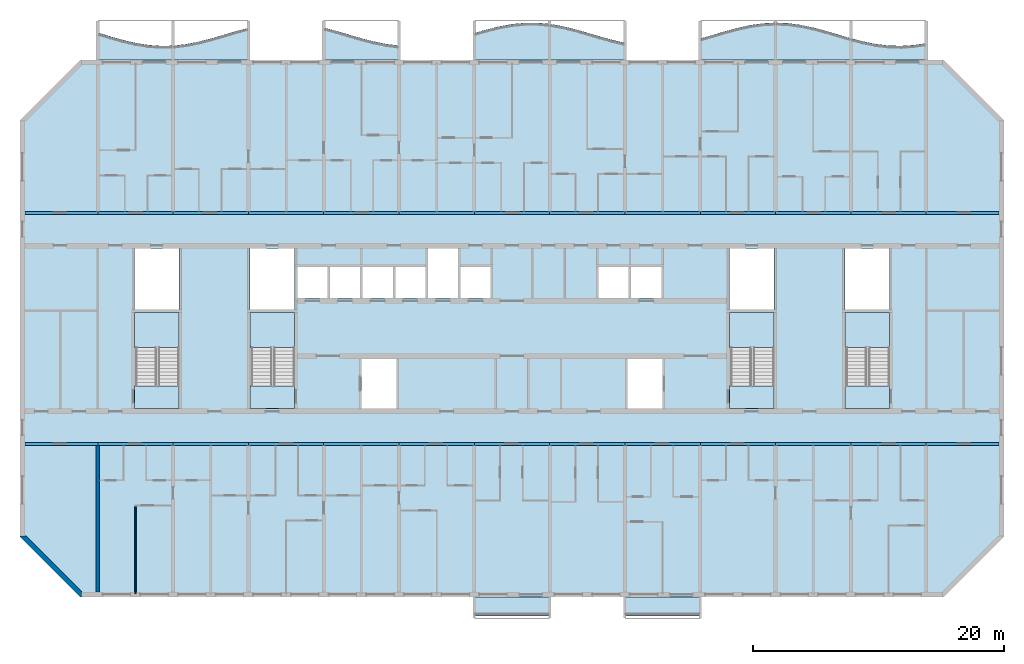
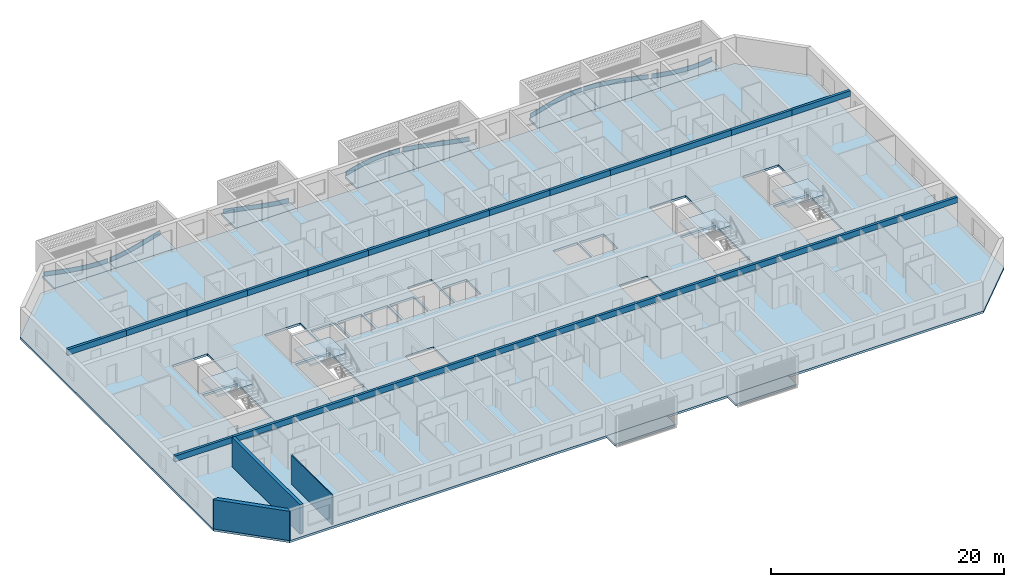
# One storey, part 1 of 31: 26 beams, 19 slabs, 8 plates, 3 walls, 4 elements without a shape of their own.
"""IFC4 building model written with IfcOpenShell, lengths in metres."""

from ifc_helpers import new_model, si_unit, direction, frame, frame_2d, origin, origin_2d, place, context, subcontext, project, spatial, polyline, rectangle, outline, extrude, source, transform, mapped, material, layer, layer_set, material_profile, profile_set, type_object, element, aggregate, save


model = new_model("IFC4")

# Units and contexts
model_context = context("Model", 3, precision=1e-05, world=origin(), true_north=direction((0.0, 1.0)))
body_context = subcontext(model_context, "Body", "Model", "MODEL_VIEW")
ifc_project = project(units=[si_unit("LENGTHUNIT", "METRE"), si_unit("AREAUNIT", "SQUARE_METRE"), si_unit("VOLUMEUNIT", "CUBIC_METRE"), si_unit("PLANEANGLEUNIT", "RADIAN"), si_unit("MASSUNIT", "GRAM", prefix="KILO")], contexts=[model_context])

# Site, building, storey
site_placement = place(None, origin())
site = spatial("IfcSite", under=ifc_project, at=site_placement, CompositionType="ELEMENT")
building_placement = place(site_placement, origin())
building = spatial("IfcBuilding", under=site, at=building_placement, Name="Poui Terraces", CompositionType="ELEMENT")
storey_placement = place(building_placement, frame((0.0, 0.0, 148.800048828125)))
storey = spatial("IfcBuildingStorey", under=building, at=storey_placement, Name="L41", CompositionType="ELEMENT", Elevation=148.800048828125)

# Beams
ifc_material_1 = material(Name="Concrete 65 MPa", Category="concrete")
ifc_material_profile = material_profile(ifc_material_1, rectangle(XDim=0.25, YDim=0.60009765625, at=origin_2d()), Name="RC 250x600")
ifc_profile_set = profile_set([ifc_material_profile], Name="Concrete 65 MPa")
beam_type = type_object("IfcBeamType", Name="COUPLING BEAM 250x600 65MPa", PredefinedType="BEAM", material=ifc_profile_set)
shared_shape_1 = source(origin(), body_context, "Body", "SweptSolid", [
    extrude(rectangle(XDim=0.25, YDim=0.60009765625, at=origin_2d()), origin(), (0.0, 0.0, 1.0), 5.800048828125),
])
for number, where, z_axis, x_axis, name in (
    (1, (12.199951171875, 12.0, 2.77001953125), (1.0, 0.0, 0.0), (0.0, 1.0, 0.0), "COUPLING BEAM LINE B BAY 1"),
    (2, (84.0, 12.0, 2.77001953125), (1.0, 0.0, 0.0), (0.0, 1.0, 0.0), "COUPLING BEAM LINE B BAY 13"),
    (3, (12.199951171875, 30.39990234375, 2.77001953125), (1.0, 0.0, 0.0), (0.0, 1.0, 0.0), "COUPLING BEAM LINE E BAY 1"),
    (4, (84.0, 30.39990234375, 2.77001953125), (1.0, 0.0, 0.0), (0.0, 1.0, 0.0), "COUPLING BEAM LINE E BAY 13"),
):
    element("IfcBeam", number, at=place(storey_placement, frame(where, z_axis=z_axis, x_axis=x_axis)), inside=storey, type_object=beam_type, Name=name, PredefinedType="BEAM", context=body_context, shape_type="MappedRepresentation", body=[
        mapped(shared_shape_1, transform((0.0, 0.0, 0.0))),
    ])
shared_shape_2 = source(origin(), body_context, "Body", "SweptSolid", [
    extrude(rectangle(XDim=0.25, YDim=0.60009765625, at=origin_2d()), origin(), (0.0, 0.0, 1.0), 6.0),
])
for number, where, z_axis, x_axis, name in (
    (5, (18.0, 12.0, 2.77001953125), (1.0, 0.0, 0.0), (0.0, 1.0, 0.0), "COUPLING BEAM LINE B BAY 2"),
    (6, (24.0, 12.0, 2.77001953125), (1.0, 0.0, 0.0), (0.0, 1.0, 0.0), "COUPLING BEAM LINE B BAY 3"),
    (7, (30.0, 12.0, 2.77001953125), (1.0, 0.0, 0.0), (0.0, 1.0, 0.0), "COUPLING BEAM LINE B BAY 4"),
    (8, (36.0, 12.0, 2.77001953125), (1.0, 0.0, 0.0), (0.0, 1.0, 0.0), "COUPLING BEAM LINE B BAY 5"),
    (9, (42.0, 12.0, 2.77001953125), (1.0, 0.0, 0.0), (0.0, 1.0, 0.0), "COUPLING BEAM LINE B BAY 6"),
    (10, (48.0, 12.0, 2.77001953125), (1.0, 0.0, 0.0), (0.0, 1.0, 0.0), "COUPLING BEAM LINE B BAY 7"),
    (11, (54.0, 12.0, 2.77001953125), (1.0, 0.0, 0.0), (0.0, 1.0, 0.0), "COUPLING BEAM LINE B BAY 8"),
    (12, (60.0, 12.0, 2.77001953125), (1.0, 0.0, 0.0), (0.0, 1.0, 0.0), "COUPLING BEAM LINE B BAY 9"),
    (13, (66.0, 12.0, 2.77001953125), (1.0, 0.0, 0.0), (0.0, 1.0, 0.0), "COUPLING BEAM LINE B BAY 10"),
    (14, (72.0, 12.0, 2.77001953125), (1.0, 0.0, 0.0), (0.0, 1.0, 0.0), "COUPLING BEAM LINE B BAY 11"),
    (15, (78.0, 12.0, 2.77001953125), (1.0, 0.0, 0.0), (0.0, 1.0, 0.0), "COUPLING BEAM LINE B BAY 12"),
    (16, (18.0, 30.39990234375, 2.77001953125), (1.0, 0.0, 0.0), (0.0, 1.0, 0.0), "COUPLING BEAM LINE E BAY 2"),
    (17, (24.0, 30.39990234375, 2.77001953125), (1.0, 0.0, 0.0), (0.0, 1.0, 0.0), "COUPLING BEAM LINE E BAY 3"),
    (18, (30.0, 30.39990234375, 2.77001953125), (1.0, 0.0, 0.0), (0.0, 1.0, 0.0), "COUPLING BEAM LINE E BAY 4"),
    (19, (36.0, 30.39990234375, 2.77001953125), (1.0, 0.0, 0.0), (0.0, 1.0, 0.0), "COUPLING BEAM LINE E BAY 5"),
    (20, (42.0, 30.39990234375, 2.77001953125), (1.0, 0.0, 0.0), (0.0, 1.0, 0.0), "COUPLING BEAM LINE E BAY 6"),
    (21, (48.0, 30.39990234375, 2.77001953125), (1.0, 0.0, 0.0), (0.0, 1.0, 0.0), "COUPLING BEAM LINE E BAY 7"),
    (22, (54.0, 30.39990234375, 2.77001953125), (1.0, 0.0, 0.0), (0.0, 1.0, 0.0), "COUPLING BEAM LINE E BAY 8"),
    (23, (60.0, 30.39990234375, 2.77001953125), (1.0, 0.0, 0.0), (0.0, 1.0, 0.0), "COUPLING BEAM LINE E BAY 9"),
    (24, (66.0, 30.39990234375, 2.77001953125), (1.0, 0.0, 0.0), (0.0, 1.0, 0.0), "COUPLING BEAM LINE E BAY 10"),
    (25, (72.0, 30.39990234375, 2.77001953125), (1.0, 0.0, 0.0), (0.0, 1.0, 0.0), "COUPLING BEAM LINE E BAY 11"),
    (26, (78.0, 30.39990234375, 2.77001953125), (1.0, 0.0, 0.0), (0.0, 1.0, 0.0), "COUPLING BEAM LINE E BAY 12"),
):
    element("IfcBeam", number, at=place(storey_placement, frame(where, z_axis=z_axis, x_axis=x_axis)), inside=storey, type_object=beam_type, Name=name, PredefinedType="BEAM", context=body_context, shape_type="MappedRepresentation", body=[
        mapped(shared_shape_2, transform((0.0, 0.0, 0.0))),
    ])

# Slabs
ifc_material_2 = material(Name="Precast concrete 40 MPa", Category="concrete")
ifc_layer_1 = layer(ifc_material_2, 0.199951171875)
ifc_layer_set_1 = layer_set([ifc_layer_1], Name="Precast concrete 40 MPa")
slab_type_1 = type_object("IfcSlabType", Name="BALCONY SLAB 200", PredefinedType="FLOOR", material=ifc_layer_set_1)
slab_1_placement = place(storey_placement, frame((0.0, 0.0, -0.2001953125)))
element("IfcSlab", 27, at=slab_1_placement, inside=storey, type_object=slab_type_1, Name="BALCONY SLAB", PredefinedType="FLOOR", context=body_context, shape_type="SweptSolid", body=[
    extrude(outline(polyline([(18.0, 42.60009765625), (24.0, 42.60009765625), (24.0, 43.72412109375), (23.0, 43.7041015625), (22.0, 43.779052734375), (21.0, 43.94091796875), (20.0, 44.17333984375), (19.0, 44.4521484375), (18.0, 44.748779296875), (18.0, 42.60009765625)])), origin(), (0.0, 0.0, 1.0), 0.2001953125),
])
slab_2_placement = place(storey_placement, frame((0.0, 0.0, -0.2001953125)))
element("IfcSlab", 28, at=slab_2_placement, inside=storey, type_object=slab_type_1, Name="BALCONY SLAB", PredefinedType="FLOOR", context=body_context, shape_type="SweptSolid", body=[
    extrude(outline(polyline([(24.0, 42.60009765625), (30.0, 42.60009765625), (30.0, 45.14013671875), (29.0, 44.870361328125), (28.0, 44.5751953125), (27.0, 44.285400390625), (26.0, 44.030517578125), (25.0, 43.836669921875), (24.0, 43.72412109375), (24.0, 42.60009765625)])), origin(), (0.0, 0.0, 1.0), 0.2001953125),
])
slab_3_placement = place(storey_placement, frame((0.0, 0.0, -0.2001953125)))
element("IfcSlab", 29, at=slab_3_placement, inside=storey, type_object=slab_type_1, Name="BALCONY SLAB", PredefinedType="FLOOR", context=body_context, shape_type="SweptSolid", body=[
    extrude(outline(polyline([(36.0, 42.60009765625), (42.0, 42.60009765625), (42.0, 43.72998046875), (41.0, 43.849853515625), (40.0, 44.0498046875), (39.0, 44.30859375), (38.0, 44.60009765625), (37.0, 44.894287109375), (36.0, 45.16064453125), (36.0, 42.60009765625)])), origin(), (0.0, 0.0, 1.0), 0.2001953125),
])
slab_4_placement = place(storey_placement, frame((0.0, 0.0, -0.2001953125)))
element("IfcSlab", 30, at=slab_4_placement, inside=storey, type_object=slab_type_1, Name="BALCONY SLAB", PredefinedType="FLOOR", context=body_context, shape_type="SweptSolid", body=[
    extrude(outline(polyline([(48.0, 42.60009765625), (54.0, 42.60009765625), (54.0, 45.44970703125), (53.0, 45.539794921875), (52.0, 45.535888671875), (51.0, 45.438232421875), (50.0, 45.2568359375), (49.0, 45.01025390625), (48.0, 44.72412109375), (48.0, 42.60009765625)])), origin(), (0.0, 0.0, 1.0), 0.2001953125),
])
slab_5_placement = place(storey_placement, frame((0.0, 0.0, -0.2001953125)))
element("IfcSlab", 31, at=slab_5_placement, inside=storey, type_object=slab_type_1, Name="BALCONY SLAB", PredefinedType="FLOOR", context=body_context, shape_type="SweptSolid", body=[
    extrude(outline(polyline([(54.0, 42.60009765625), (60.0, 42.60009765625), (60.0, 43.94091796875), (59.0, 44.17333984375), (58.0, 44.4521484375), (57.0, 44.748779296875), (56.0, 45.03271484375), (55.0, 45.274658203125), (54.0, 45.44970703125), (54.0, 42.60009765625)])), origin(), (0.0, 0.0, 1.0), 0.2001953125),
])
slab_6_placement = place(storey_placement, frame((0.0, 0.0, -0.2001953125)))
element("IfcSlab", 32, at=slab_6_placement, inside=storey, type_object=slab_type_1, Name="BALCONY SLAB", PredefinedType="FLOOR", context=body_context, shape_type="SweptSolid", body=[
    extrude(outline(polyline([(66.0, 42.60009765625), (72.0, 42.60009765625), (72.0, 45.5498046875), (71.0, 45.498291015625), (70.0, 45.35693359375), (69.0, 45.14013671875), (68.0, 44.870361328125), (67.0, 44.5751953125), (66.0, 44.285400390625), (66.0, 42.60009765625)])), origin(), (0.0, 0.0, 1.0), 0.2001953125),
])
slab_7_placement = place(storey_placement, frame((0.0, 0.0, -0.2001953125)))
element("IfcSlab", 33, at=slab_7_placement, inside=storey, type_object=slab_type_1, Name="BALCONY SLAB", PredefinedType="FLOOR", context=body_context, shape_type="SweptSolid", body=[
    extrude(outline(polyline([(72.0, 42.60009765625), (78.0, 42.60009765625), (78.0, 44.30859375), (77.0, 44.60009765625), (76.0, 44.894287109375), (75.0, 45.16064453125), (74.0, 45.371826171875), (73.0, 45.506103515625), (72.0, 45.5498046875), (72.0, 42.60009765625)])), origin(), (0.0, 0.0, 1.0), 0.2001953125),
])
slab_8_placement = place(storey_placement, frame((0.0, 0.0, -0.2001953125)))
element("IfcSlab", 34, at=slab_8_placement, inside=storey, type_object=slab_type_1, Name="BALCONY SLAB", PredefinedType="FLOOR", context=body_context, shape_type="SweptSolid", body=[
    extrude(outline(polyline([(78.0, 42.60009765625), (84.0, 42.60009765625), (84.0, 43.924560546875), (83.0, 43.769287109375), (82.0, 43.7021484375), (81.0, 43.72998046875), (80.0, 43.849853515625), (79.0, 44.0498046875), (78.0, 44.30859375), (78.0, 42.60009765625)])), origin(), (0.0, 0.0, 1.0), 0.2001953125),
])

# Stair, slabs
stair_type = type_object("IfcStairType", Name="EXIT STAIR 1650 65 MPA", PredefinedType="HALF_TURN_STAIR", material=ifc_material_1)
stair_1_placement = place(storey_placement, origin())
stair_1 = element("IfcStair", 35, at=stair_1_placement, inside=storey, type_object=stair_type, Name="L41 CORE STAIR EAST", PredefinedType="HALF_TURN_STAIR")
ifc_layer_2 = layer(ifc_material_1, 0.199951171875)
ifc_layer_set_2 = layer_set([ifc_layer_2], Name="Concrete 65 MPa")
slab_type_2 = type_object("IfcSlabType", Name="STAIR LANDING 200 65 MPA", PredefinedType="LANDING", material=ifc_layer_set_2)
slab_9_placement = place(storey_placement, frame((0.0, 0.0, 1.449951171875)))
slab_9 = element("IfcSlab", 36, at=slab_9_placement, type_object=slab_type_2, Name="ST-CE landing 1", PredefinedType="LANDING", context=body_context, shape_type="SweptSolid", body=[
    extrude(outline(polyline([(68.324951171875, 19.679931640625), (71.875, 19.679931640625), (71.875, 22.47509765625), (68.324951171875, 22.47509765625), (68.324951171875, 19.679931640625)])), origin(), (0.0, 0.0, 1.0), 0.199951171875),
])
slab_10_placement = place(storey_placement, frame((0.0, 0.0, -0.2001953125)))
slab_10 = element("IfcSlab", 37, at=slab_10_placement, type_object=slab_type_2, Name="ST-CE landing 2", PredefinedType="LANDING", context=body_context, shape_type="SweptSolid", body=[
    extrude(outline(polyline([(68.324951171875, 14.824951171875), (71.875, 14.824951171875), (71.875, 16.60009765625), (68.324951171875, 16.60009765625), (68.324951171875, 14.824951171875)])), origin(), (0.0, 0.0, 1.0), 0.2001953125),
])
aggregate(stair_1, [slab_9, slab_10])

stair_2_placement = place(storey_placement, origin())
stair_2 = element("IfcStair", 38, at=stair_2_placement, inside=storey, type_object=stair_type, Name="L41 CORE STAIR WEST", PredefinedType="HALF_TURN_STAIR")
slab_11_placement = place(storey_placement, frame((0.0, 0.0, 1.449951171875)))
slab_11 = element("IfcSlab", 39, at=slab_11_placement, type_object=slab_type_2, Name="ST-CW landing 1", PredefinedType="LANDING", context=body_context, shape_type="SweptSolid", body=[
    extrude(outline(polyline([(30.125, 19.679931640625), (33.675048828125, 19.679931640625), (33.675048828125, 22.47509765625), (30.125, 22.47509765625), (30.125, 19.679931640625)])), origin(), (0.0, 0.0, 1.0), 0.199951171875),
])
slab_12_placement = place(storey_placement, frame((0.0, 0.0, -0.2001953125)))
slab_12 = element("IfcSlab", 40, at=slab_12_placement, type_object=slab_type_2, Name="ST-CW landing 2", PredefinedType="LANDING", context=body_context, shape_type="SweptSolid", body=[
    extrude(outline(polyline([(30.125, 14.824951171875), (33.675048828125, 14.824951171875), (33.675048828125, 16.60009765625), (30.125, 16.60009765625), (30.125, 14.824951171875)])), origin(), (0.0, 0.0, 1.0), 0.2001953125),
])
aggregate(stair_2, [slab_11, slab_12])

stair_3_placement = place(storey_placement, origin())
stair_3 = element("IfcStair", 41, at=stair_3_placement, inside=storey, type_object=stair_type, Name="L41 TIP STAIR EAST", PredefinedType="HALF_TURN_STAIR")
slab_13_placement = place(storey_placement, frame((0.0, 0.0, 1.449951171875)))
slab_13 = element("IfcSlab", 42, at=slab_13_placement, type_object=slab_type_2, Name="ST-E landing 1", PredefinedType="LANDING", context=body_context, shape_type="SweptSolid", body=[
    extrude(outline(polyline([(77.52490234375, 19.679931640625), (81.074951171875, 19.679931640625), (81.074951171875, 22.47509765625), (77.52490234375, 22.47509765625), (77.52490234375, 19.679931640625)])), origin(), (0.0, 0.0, 1.0), 0.199951171875),
])
slab_14_placement = place(storey_placement, frame((0.0, 0.0, -0.2001953125)))
slab_14 = element("IfcSlab", 43, at=slab_14_placement, type_object=slab_type_2, Name="ST-E landing 2", PredefinedType="LANDING", context=body_context, shape_type="SweptSolid", body=[
    extrude(outline(polyline([(77.52490234375, 14.824951171875), (81.074951171875, 14.824951171875), (81.074951171875, 16.60009765625), (77.52490234375, 16.60009765625), (77.52490234375, 14.824951171875)])), origin(), (0.0, 0.0, 1.0), 0.2001953125),
])
aggregate(stair_3, [slab_13, slab_14])

stair_4_placement = place(storey_placement, origin())
stair_4 = element("IfcStair", 44, at=stair_4_placement, inside=storey, type_object=stair_type, Name="L41 TIP STAIR WEST", PredefinedType="HALF_TURN_STAIR")
slab_15_placement = place(storey_placement, frame((0.0, 0.0, 1.449951171875)))
slab_15 = element("IfcSlab", 45, at=slab_15_placement, type_object=slab_type_2, Name="ST-W landing 1", PredefinedType="LANDING", context=body_context, shape_type="SweptSolid", body=[
    extrude(outline(polyline([(20.925048828125, 19.679931640625), (24.47509765625, 19.679931640625), (24.47509765625, 22.47509765625), (20.925048828125, 22.47509765625), (20.925048828125, 19.679931640625)])), origin(), (0.0, 0.0, 1.0), 0.199951171875),
])
slab_16_placement = place(storey_placement, frame((0.0, 0.0, -0.2001953125)))
slab_16 = element("IfcSlab", 46, at=slab_16_placement, type_object=slab_type_2, Name="ST-W landing 2", PredefinedType="LANDING", context=body_context, shape_type="SweptSolid", body=[
    extrude(outline(polyline([(20.925048828125, 14.824951171875), (24.47509765625, 14.824951171875), (24.47509765625, 16.60009765625), (20.925048828125, 16.60009765625), (20.925048828125, 14.824951171875)])), origin(), (0.0, 0.0, 1.0), 0.2001953125),
])
aggregate(stair_4, [slab_15, slab_16])

# Plates
ifc_layer_3 = layer(ifc_material_2, 0.080078125)
ifc_layer_set_3 = layer_set([ifc_layer_3], Name="Precast concrete 40 MPa")
plate_type = type_object("IfcPlateType", Name="SUNSHADE UPSTAND 80", PredefinedType="SHEET", material=ifc_layer_set_3)
plate_1_placement = place(storey_placement, origin())
element("IfcPlate", 47, at=plate_1_placement, inside=storey, type_object=plate_type, Name="SUNSHADE UPSTAND", PredefinedType="SHEET", context=body_context, shape_type="SweptSolid", body=[
    extrude(outline(polyline([(19.010986328125, 44.445556640625), (18.136474609375, 44.705078125), (18.113525390625, 44.62841796875), (18.989013671875, 44.36865234375), (19.989990234375, 44.089599609375), (20.9921875, 43.856689453125), (21.995361328125, 43.694091796875), (22.998779296875, 43.619140625), (23.87548828125, 43.63134765625), (23.87451171875, 43.711181640625), (23.001220703125, 43.69921875), (22.004638671875, 43.773681640625), (21.0078125, 43.935302734375), (20.010009765625, 44.1669921875), (19.010986328125, 44.445556640625)])), origin(), (0.0, 0.0, 1.0), 0.449951171875),
])
plate_2_placement = place(storey_placement, origin())
element("IfcPlate", 48, at=plate_2_placement, inside=storey, type_object=plate_type, Name="SUNSHADE UPSTAND", PredefinedType="SHEET", context=body_context, shape_type="SweptSolid", body=[
    extrude(outline(polyline([(24.993896484375, 43.831298828125), (24.120361328125, 43.727783203125), (24.129638671875, 43.6484375), (25.006103515625, 43.752197265625), (26.0087890625, 43.9462890625), (27.010498046875, 44.201904296875), (28.01123046875, 44.491943359375), (29.010986328125, 44.786865234375), (29.885498046875, 45.025146484375), (29.864501953125, 45.102294921875), (28.989013671875, 44.864013671875), (27.98876953125, 44.568603515625), (26.989501953125, 44.279052734375), (25.9912109375, 44.0244140625), (24.993896484375, 43.831298828125)])), origin(), (0.0, 0.0, 1.0), 0.449951171875),
])
plate_3_placement = place(storey_placement, origin())
element("IfcPlate", 49, at=plate_3_placement, inside=storey, type_object=plate_type, Name="SUNSHADE UPSTAND", PredefinedType="SHEET", context=body_context, shape_type="SweptSolid", body=[
    extrude(outline(polyline([(37.0107421875, 44.8876953125), (36.135498046875, 45.12353515625), (36.114501953125, 45.046142578125), (36.9892578125, 44.810791015625), (37.98876953125, 44.516845703125), (38.989501953125, 44.22509765625), (39.9912109375, 43.9658203125), (40.99365234375, 43.765380859375), (41.8701171875, 43.655517578125), (41.8798828125, 43.734619140625), (41.00634765625, 43.844482421875), (40.0087890625, 44.043701171875), (39.010498046875, 44.30224609375), (38.01123046875, 44.593505859375), (37.0107421875, 44.8876953125)])), origin(), (0.0, 0.0, 1.0), 0.449951171875),
])
plate_4_placement = place(storey_placement, origin())
element("IfcPlate", 50, at=plate_4_placement, inside=storey, type_object=plate_type, Name="SUNSHADE UPSTAND", PredefinedType="SHEET", context=body_context, shape_type="SweptSolid", body=[
    extrude(outline(polyline([(48.98974609375, 45.00390625), (48.114013671875, 44.754638671875), (48.135986328125, 44.677490234375), (49.01025390625, 44.926513671875), (50.00830078125, 45.172607421875), (51.005615234375, 45.353515625), (52.001953125, 45.450927734375), (52.998291015625, 45.454833984375), (53.87158203125, 45.381103515625), (53.87841796875, 45.460693359375), (53.86328125, 45.462158203125), (53.001708984375, 45.534912109375), (51.998046875, 45.531005859375), (50.994384765625, 45.432861328125), (49.99169921875, 45.2509765625), (48.98974609375, 45.00390625)])), origin(), (0.0, 0.0, 1.0), 0.449951171875),
])
plate_5_placement = place(storey_placement, origin())
element("IfcPlate", 51, at=plate_5_placement, inside=storey, type_object=plate_type, Name="SUNSHADE UPSTAND", PredefinedType="SHEET", context=body_context, shape_type="SweptSolid", body=[
    extrude(outline(polyline([(55.00830078125, 45.268798828125), (54.132080078125, 45.426513671875), (54.117919921875, 45.347900390625), (54.99169921875, 45.1904296875), (55.98974609375, 44.948974609375), (56.98876953125, 44.665283203125), (57.989013671875, 44.36865234375), (58.989990234375, 44.089599609375), (59.86572265625, 43.882568359375), (59.88427734375, 43.96044921875), (59.010009765625, 44.1669921875), (58.010986328125, 44.445556640625), (57.01123046875, 44.7421875), (56.01025390625, 45.0263671875), (55.00830078125, 45.268798828125)])), origin(), (0.0, 0.0, 1.0), 0.449951171875),
])
plate_6_placement = place(storey_placement, origin())
element("IfcPlate", 52, at=plate_6_placement, inside=storey, type_object=plate_type, Name="SUNSHADE UPSTAND", PredefinedType="SHEET", context=body_context, shape_type="SweptSolid", body=[
    extrude(outline(polyline([(66.98876953125, 44.568603515625), (66.11376953125, 44.313720703125), (66.13623046875, 44.23681640625), (67.01123046875, 44.491943359375), (68.010986328125, 44.786865234375), (69.009521484375, 45.056396484375), (70.007080078125, 45.272705078125), (71.00390625, 45.41357421875), (71.877197265625, 45.463623046875), (71.872802734375, 45.54345703125), (71.83154296875, 45.541259765625), (70.99609375, 45.4931640625), (69.992919921875, 45.351318359375), (68.990478515625, 45.134033203125), (67.989013671875, 44.864013671875), (66.98876953125, 44.568603515625)])), origin(), (0.0, 0.0, 1.0), 0.449951171875),
])
plate_7_placement = place(storey_placement, origin())
element("IfcPlate", 53, at=plate_7_placement, inside=storey, type_object=plate_type, Name="SUNSHADE UPSTAND", PredefinedType="SHEET", context=body_context, shape_type="SweptSolid", body=[
    extrude(outline(polyline([(73.003662109375, 45.501220703125), (72.168212890625, 45.54248046875), (72.126953125, 45.54443359375), (72.123046875, 45.464599609375), (72.996337890625, 45.42138671875), (73.9931640625, 45.287353515625), (74.99072265625, 45.07666015625), (75.9892578125, 44.810791015625), (76.98876953125, 44.516845703125), (77.86376953125, 44.260498046875), (77.88623046875, 44.33740234375), (77.01123046875, 44.593505859375), (76.0107421875, 44.8876953125), (75.00927734375, 45.154541015625), (74.0068359375, 45.3662109375), (73.003662109375, 45.501220703125)])), origin(), (0.0, 0.0, 1.0), 0.449951171875),
])
plate_8_placement = place(storey_placement, origin())
element("IfcPlate", 54, at=plate_8_placement, inside=storey, type_object=plate_type, Name="SUNSHADE UPSTAND", PredefinedType="SHEET", context=body_context, shape_type="SweptSolid", body=[
    extrude(outline(polyline([(79.0087890625, 44.043701171875), (78.135009765625, 44.267578125), (78.114990234375, 44.190185546875), (78.9912109375, 43.965576171875), (79.99365234375, 43.765380859375), (80.9970703125, 43.64501953125), (82.000732421875, 43.616943359375), (83.00439453125, 43.684326171875), (83.880859375, 43.816162109375), (83.869140625, 43.895263671875), (82.99560546875, 43.763916015625), (81.999267578125, 43.697021484375), (81.0029296875, 43.724853515625), (80.00634765625, 43.844482421875), (79.0087890625, 44.043701171875)])), origin(), (0.0, 0.0, 1.0), 0.449951171875),
])

# Slabs
ifc_material_3 = material(Name="Concrete 40 MPa", Category="concrete")
ifc_layer_4 = layer(ifc_material_3, 0.22998046875)
ifc_layer_set_4 = layer_set([ifc_layer_4], Name="Concrete 40 MPa")
slab_type_3 = type_object("IfcSlabType", Name="FLOOR SLAB 230", PredefinedType="FLOOR", material=ifc_layer_set_4)
shared_shape_3 = source(origin(), body_context, "Body", "SweptSolid", [
    extrude(outline(polyline([(0.0, 0.0), (4.800048828125, -4.800048828125), (73.599853515625, -4.800048828125), (78.39990234375, 0.0), (78.39990234375, 33.199951171875), (73.599853515625, 38.0), (4.800048828125, 38.0), (0.0, 33.199951171875), (0.0, 0.0)]), holes=[polyline([(27.199951171875, 10.224853515625), (27.199951171875, 14.1748046875), (30.0, 14.1748046875), (30.0, 10.224853515625), (27.199951171875, 10.224853515625)]), polyline([(9.224853515625, 17.849853515625), (12.675048828125, 17.849853515625), (12.675048828125, 12.0), (12.675048828125, 10.224853515625), (9.125, 10.224853515625), (9.125, 12.0), (9.224853515625, 12.0), (9.224853515625, 17.849853515625)]), polyline([(18.425048828125, 17.849853515625), (21.875, 17.849853515625), (21.875, 12.0), (21.875, 10.224853515625), (18.324951171875, 10.224853515625), (18.324951171875, 12.0), (18.425048828125, 12.0), (18.425048828125, 17.849853515625)]), polyline([(22.099853515625, 19.02490234375), (22.099853515625, 21.5), (24.5, 21.5), (24.5, 19.02490234375), (22.099853515625, 19.02490234375)]), polyline([(24.699951171875, 19.02490234375), (24.699951171875, 21.5), (27.099853515625, 21.5), (27.099853515625, 19.02490234375), (24.699951171875, 19.02490234375)]), polyline([(27.300048828125, 19.02490234375), (27.300048828125, 21.5), (29.699951171875, 21.5), (29.699951171875, 19.02490234375), (27.300048828125, 19.02490234375)]), polyline([(29.89990234375, 19.02490234375), (29.89990234375, 21.5), (32.300048828125, 21.5), (32.300048828125, 19.02490234375), (29.89990234375, 19.02490234375)]), polyline([(9.125, 22.974853515625), (12.675048828125, 22.974853515625), (12.675048828125, 18.125), (9.125, 18.125), (9.125, 22.974853515625)]), polyline([(18.324951171875, 22.974853515625), (21.875, 22.974853515625), (21.875, 18.125), (18.324951171875, 18.125), (18.324951171875, 22.974853515625)]), polyline([(48.39990234375, 10.224853515625), (48.39990234375, 14.1748046875), (51.199951171875, 14.1748046875), (51.199951171875, 10.224853515625), (48.39990234375, 10.224853515625)]), polyline([(56.625, 17.849853515625), (60.074951171875, 17.849853515625), (60.074951171875, 12.0), (60.074951171875, 10.224853515625), (56.52490234375, 10.224853515625), (56.52490234375, 12.0), (56.625, 12.0), (56.625, 17.849853515625)]), polyline([(65.824951171875, 17.849853515625), (69.27490234375, 17.849853515625), (69.27490234375, 12.0), (69.27490234375, 10.224853515625), (65.724853515625, 10.224853515625), (65.724853515625, 12.0), (65.824951171875, 12.0), (65.824951171875, 17.849853515625)]), polyline([(35.099853515625, 19.02490234375), (35.099853515625, 21.5), (37.5, 21.5), (37.5, 19.02490234375), (35.099853515625, 19.02490234375)]), polyline([(46.099853515625, 19.02490234375), (46.099853515625, 21.5), (48.5, 21.5), (48.5, 19.02490234375), (46.099853515625, 19.02490234375)]), polyline([(48.699951171875, 19.02490234375), (48.699951171875, 21.5), (51.099853515625, 21.5), (51.099853515625, 19.02490234375), (48.699951171875, 19.02490234375)]), polyline([(56.52490234375, 18.125), (56.52490234375, 22.974853515625), (60.074951171875, 22.974853515625), (60.074951171875, 18.125), (56.52490234375, 18.125)]), polyline([(65.724853515625, 22.974853515625), (69.27490234375, 22.974853515625), (69.27490234375, 18.125), (65.724853515625, 18.125), (65.724853515625, 22.974853515625)]), polyline([(32.5, 22.974853515625), (34.89990234375, 22.974853515625), (34.89990234375, 19.02490234375), (32.5, 19.02490234375), (32.5, 22.974853515625)])]), origin(), (0.0, 0.0, 1.0), 0.230224609375),
])
slab_17_placement = place(storey_placement, frame((11.800048828125, 4.60009765625, -0.230224609375)))
element("IfcSlab", 55, at=slab_17_placement, inside=storey, type_object=slab_type_3, Name="FLOOR SLAB", PredefinedType="FLOOR", context=body_context, shape_type="MappedRepresentation", body=[
    mapped(shared_shape_3, transform((0.0, 0.0, 0.0))),
])
ifc_layer_5 = layer(ifc_material_2, 0.199951171875)
ifc_layer_set_5 = layer_set([ifc_layer_5], Name="Precast concrete 40 MPa")
slab_type_4 = type_object("IfcSlabType", Name="REAR BALCONY SLAB 200", PredefinedType="FLOOR", material=ifc_layer_set_5)
shared_shape_4 = source(origin(), body_context, "Body", "SweptSolid", [
    extrude(outline(polyline([(0.0, 0.0), (6.0, 0.0), (6.0, 1.5), (0.0, 1.5), (0.0, 0.0)])), origin(), (0.0, 0.0, 1.0), 0.2001953125),
])
for number, where, name in (
    (56, (48.0, -1.699951171875, -0.2001953125), "REAR BALCONY SLAB"),
    (57, (60.0, -1.699951171875, -0.2001953125), "REAR BALCONY SLAB"),
):
    element("IfcSlab", number, at=place(storey_placement, frame(where)), inside=storey, type_object=slab_type_4, Name=name, PredefinedType="FLOOR", context=body_context, shape_type="MappedRepresentation", body=[
        mapped(shared_shape_4, transform((0.0, 0.0, 0.0))),
    ])

# Walls
ifc_layer_6 = layer(ifc_material_1, 0.300048828125)
ifc_layer_set_6 = layer_set([ifc_layer_6], Name="Concrete 65 MPa")
wall_type_1 = type_object("IfcWallType", Name="CROSS WALL 300 65MPa", PredefinedType="SHEAR", material=ifc_layer_set_6)
wall_1_placement = place(storey_placement, frame((18.0, 0.199951171875, 0.0), z_axis=(0.0, 0.0, 1.0), x_axis=(0.0, 1.0, 0.0)))
element("IfcWall", 58, at=wall_1_placement, inside=storey, type_object=wall_type_1, Name="CROSS WALL LINE 4 SOUTH", PredefinedType="SHEAR", context=body_context, shape_type="SweptSolid", body=[
    extrude(rectangle(XDim=11.675048828125, YDim=0.300048828125, at=frame_2d((5.83740234375, 0.0))), origin(), (0.0, 0.0, 1.0), 3.070068359375),
])
ifc_material_4 = material(Name="Plasterboard partition")
ifc_layer_7 = layer(ifc_material_4, 0.10009765625)
ifc_layer_set_7 = layer_set([ifc_layer_7], Name="Plasterboard partition")
wall_type_2 = type_object("IfcWallType", Name="FLAT PARTITION 100", PredefinedType="PARTITIONING", material=ifc_layer_set_7)
wall_2_placement = place(storey_placement, frame((21.0, 0.06005859375, 0.0), z_axis=(0.0, 0.0, 1.0), x_axis=(0.0, 1.0, 0.0)))
element("IfcWall", 59, at=wall_2_placement, inside=storey, type_object=wall_type_2, Name="FLAT PARTITION 100", PredefinedType="PARTITIONING", context=body_context, shape_type="SweptSolid", body=[
    extrude(rectangle(XDim=6.989990234375, YDim=0.10009765625, at=frame_2d((3.4951171875, 0.0))), origin(), (0.0, 0.0, 1.0), 3.070068359375),
])
ifc_layer_8 = layer(ifc_material_2, 0.39990234375)
ifc_layer_set_8 = layer_set([ifc_layer_8], Name="Precast concrete 40 MPa")
wall_type_3 = type_object("IfcWallType", Name="TERRACOTTA CLAD CHAMFER WALL 400", PredefinedType="STANDARD", material=ifc_layer_set_8)
wall_3_placement = place(storey_placement, origin())
element("IfcWall", 60, at=wall_3_placement, inside=storey, type_object=wall_type_3, Name="CHAMFER WALL CH07", PredefinedType="STANDARD", context=body_context, shape_type="SweptSolid", body=[
    extrude(outline(polyline([(11.800048828125, 4.682861328125), (11.800048828125, 4.60009765625), (16.60009765625, -0.199951171875), (16.682861328125, -0.199951171875), (16.682861328125, 0.28271484375), (12.28271484375, 4.682861328125), (11.800048828125, 4.682861328125)])), origin(), (0.0, 0.0, 1.0), 3.070068359375),
])

save(model, "model.ifc")
